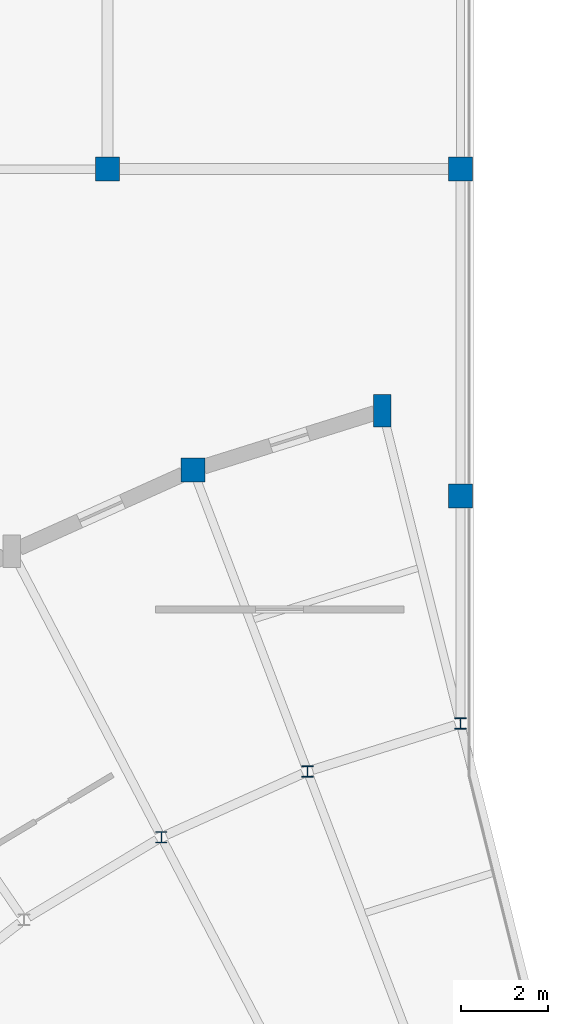
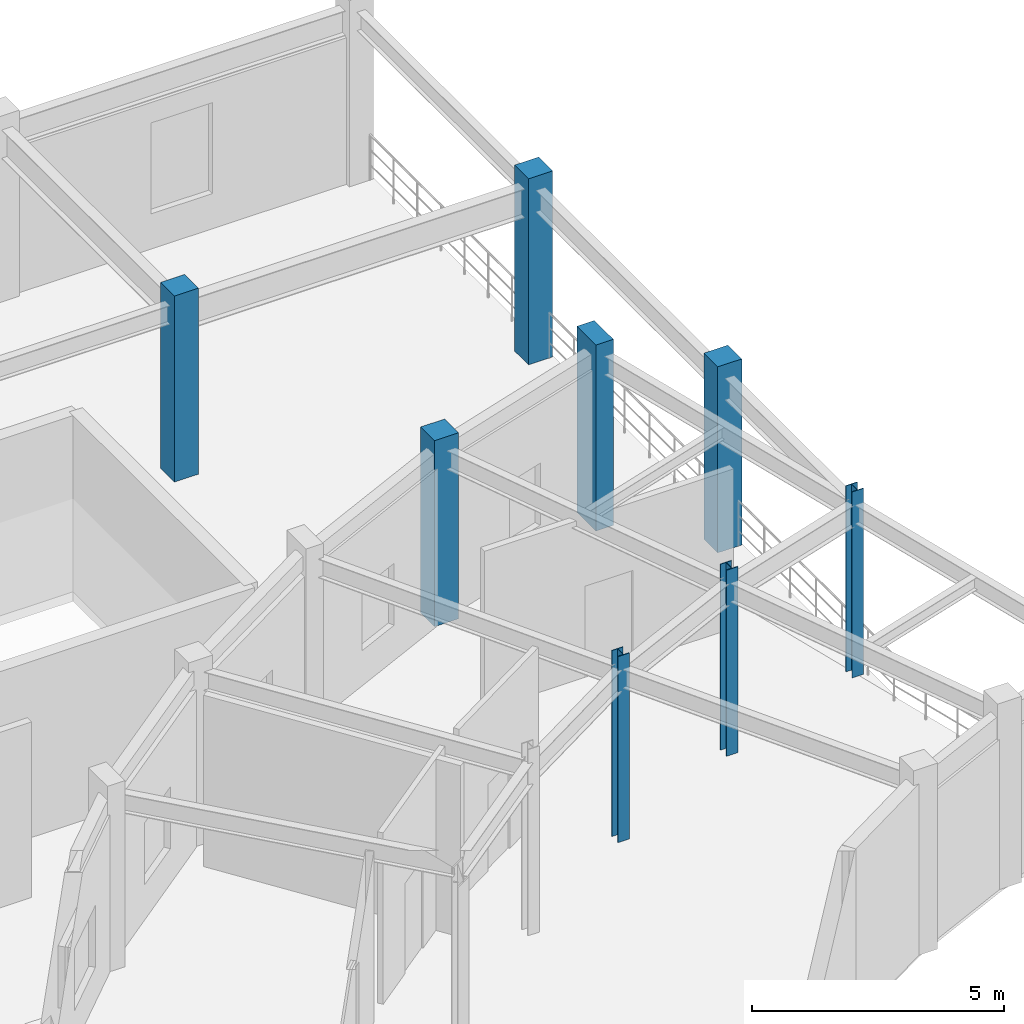
# One storey, part 10 of 60: 8 columns.
"""IFC4 building model written with IfcOpenShell, lengths in metres."""

from ifc_helpers import new_model, si_unit, direction, frame, origin, origin_2d, place, context, subcontext, project, spatial, rectangle, i_section, extrude, material, material_profile, profile_set, type_object, element, save


model = new_model("IFC4")

# Units and contexts
model_context = context("Model", 3, precision=1e-05, world=origin(), true_north=direction((0.0, 1.0)))
body_context = subcontext(model_context, "Body", "Model", "MODEL_VIEW")
ifc_project = project(units=[si_unit("LENGTHUNIT", "METRE"), si_unit("AREAUNIT", "SQUARE_METRE"), si_unit("VOLUMEUNIT", "CUBIC_METRE"), si_unit("PLANEANGLEUNIT", "RADIAN"), si_unit("MASSUNIT", "GRAM", prefix="KILO")], contexts=[model_context])

# Site, building, storey
site_placement = place(None, origin())
site = spatial("IfcSite", under=ifc_project, at=site_placement, CompositionType="ELEMENT")
building_placement = place(site_placement, origin())
building = spatial("IfcBuilding", under=site, at=building_placement, Name="Cinderbank Siding Concert Hall", CompositionType="ELEMENT")
storey_placement = place(building_placement, frame((0.0, 0.0, 14.699951171875)))
storey = spatial("IfcBuildingStorey", under=building, at=storey_placement, Name="L04", CompositionType="ELEMENT", Elevation=14.699951171875)

# Columns
ifc_material_1 = material(Name="Reinforced concrete AS 3600 N50 (50 MPa)", Category="concrete")
ifc_material_profile_1 = material_profile(ifc_material_1, rectangle(XDim=0.550048828125, YDim=0.550048828125, at=origin_2d()), Name="RC-COL-550x550", Category="LoadBearing")
ifc_profile_set_1 = profile_set([ifc_material_profile_1], Name="Reinforced concrete AS 3600 N50 (50 MPa)")
column_type_1 = type_object("IfcColumnType", Name="C-RC550 RC-COL-550x550", PredefinedType="COLUMN", material=ifc_profile_set_1)
for number, where, z_axis, x_axis, name in (
    (1, (42.364013671875, 103.89697265625, 0.0), (0.0, 0.0, 1.0), (1.0, 0.0, 0.0), "L04 Column COL-WOUT-02"),
    (2, (40.39990234375, 110.800048828125, 0.0), (0.0, 0.0, 1.0), (1.0, 0.0, 0.0), "L04 Column COL-NW-5-3"),
    (3, (48.5, 103.300048828125, 0.0), (0.0, 0.0, 1.0), (1.0, 0.0, 0.0), "L04 Column COL-NW-6-2"),
    (4, (48.5, 110.800048828125, 0.0), (0.0, 0.0, 1.0), (1.0, 0.0, 0.0), "L04 Column COL-NW-6-3"),
):
    element("IfcColumn", number, at=place(storey_placement, frame(where, z_axis=z_axis, x_axis=x_axis)), inside=storey, type_object=column_type_1, Name=name, PredefinedType="COLUMN", context=body_context, shape_type="SweptSolid", body=[
        extrude(rectangle(XDim=0.550048828125, YDim=0.550048828125, at=origin_2d()), origin(), (0.0, 0.0, 1.0), 4.5),
    ])
ifc_material_2 = material(Name="Structural steel AS/NZS 3679.1 Grade 350 (340 MPa)", Category="steel")
ifc_material_profile_2 = material_profile(ifc_material_2, i_section(OverallWidth=0.256103515625, OverallDepth=0.260009765625, WebThickness=0.010498046875, FlangeThickness=0.017333984375, at=origin_2d()), Name="250UC89.5", Category="LoadBearing")
ifc_profile_set_2 = profile_set([ifc_material_profile_2], Name="Structural steel AS/NZS 3679.1 Grade 350 (340 MPa)")
column_type_2 = type_object("IfcColumnType", Name="C-UC250H 250UC89.5", PredefinedType="COLUMN", material=ifc_profile_set_2)
for number, where, z_axis, x_axis, name in (
    (5, (48.5, 98.0791015625, 0.0), (0.0, 0.0, 1.0), (1.0, 0.0, 0.0), "L04 Column COL-WMID-01"),
    (6, (44.991943359375, 96.97998046875, 0.0), (0.0, 0.0, 1.0), (1.0, 0.0, 0.0), "L04 Column COL-WMID-02"),
    (7, (41.637939453125, 95.471923828125, 0.0), (0.0, 0.0, 1.0), (1.0, 0.0, 0.0), "L04 Column COL-WMID-03"),
):
    element("IfcColumn", number, at=place(storey_placement, frame(where, z_axis=z_axis, x_axis=x_axis)), inside=storey, type_object=column_type_2, Name=name, PredefinedType="COLUMN", context=body_context, shape_type="SweptSolid", body=[
        extrude(i_section(OverallWidth=0.256103515625, OverallDepth=0.260009765625, WebThickness=0.010498046875, FlangeThickness=0.017333984375, at=origin_2d()), origin(), (0.0, 0.0, 1.0), 4.5),
    ])
ifc_material_profile_3 = material_profile(ifc_material_1, rectangle(XDim=0.39990234375, YDim=0.75, at=origin_2d()), Name="RC-PIER-400x750", Category="LoadBearing")
ifc_profile_set_3 = profile_set([ifc_material_profile_3], Name="Reinforced concrete AS 3600 N50 (50 MPa)")
column_type_3 = type_object("IfcColumnType", Name="PL-RC750 RC-PIER-400x750", PredefinedType="PILASTER", material=ifc_profile_set_3)
column_placement = place(storey_placement, frame((46.7099609375, 105.259033203125, 0.0), z_axis=(0.0, 0.0, 1.0), x_axis=(1.0, 0.0, 0.0)))
element("IfcColumn", 8, at=column_placement, inside=storey, type_object=column_type_3, Name="L04 Column COL-WOUT-01", PredefinedType="PILASTER", context=body_context, shape_type="SweptSolid", body=[
    extrude(rectangle(XDim=0.39990234375, YDim=0.75, at=origin_2d()), origin(), (0.0, 0.0, 1.0), 4.5),
])

save(model, "model.ifc")
